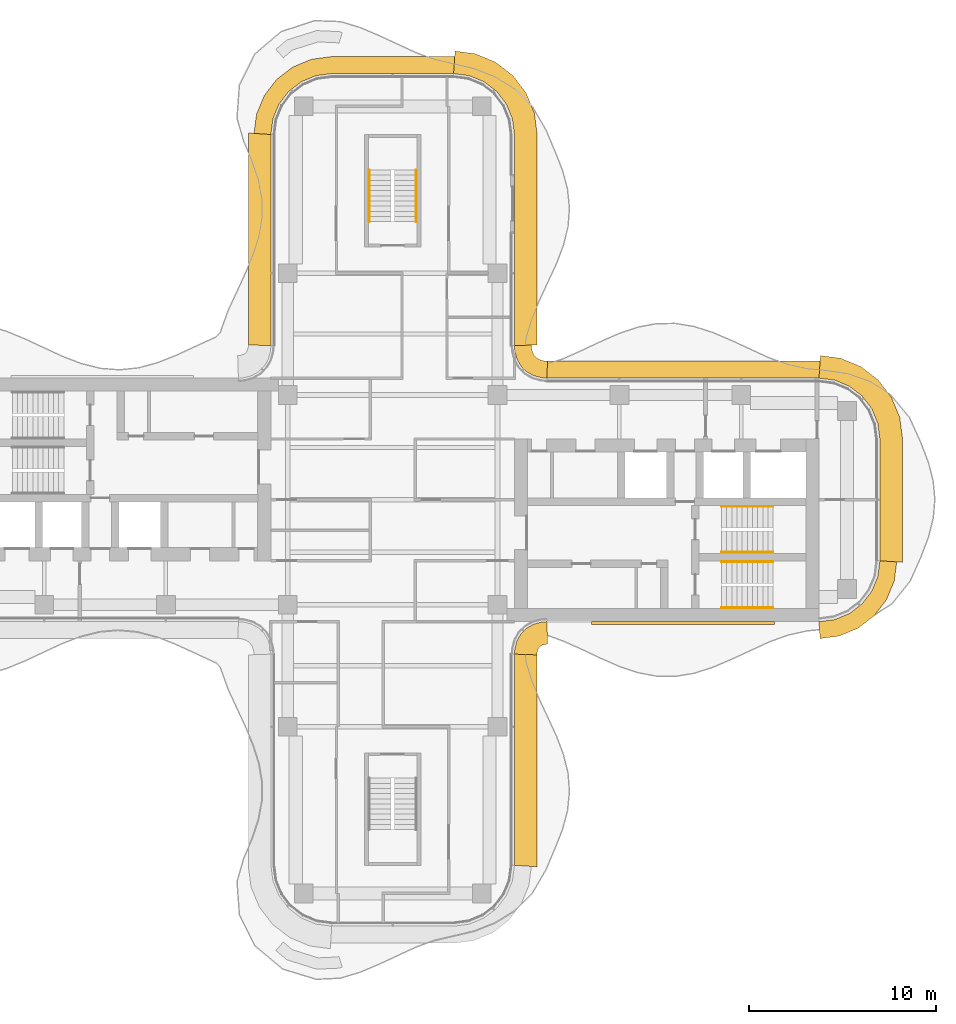
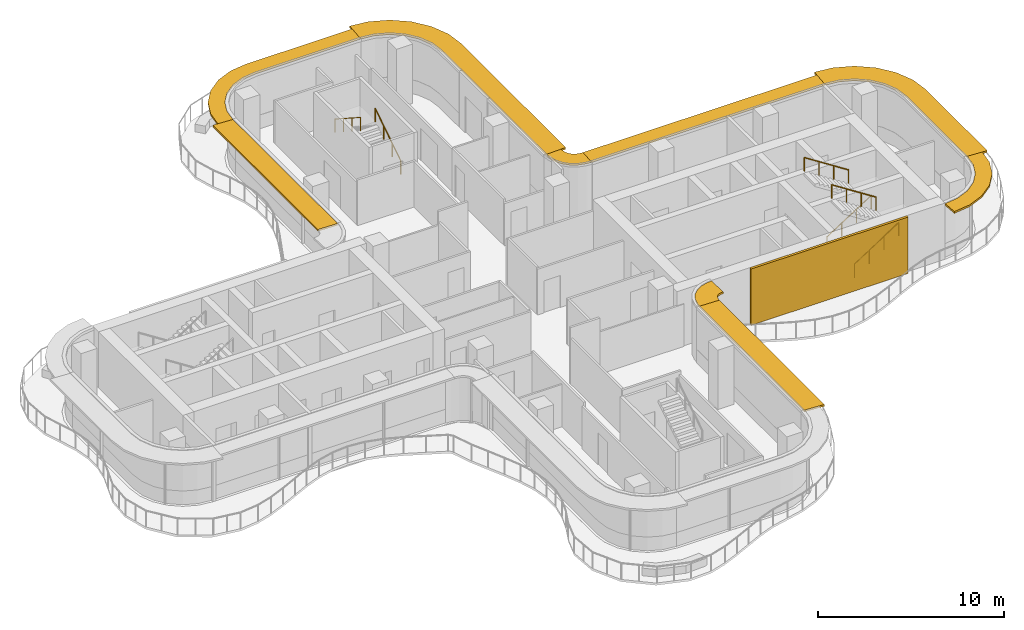
# One storey, part 15 of 15: 9 shading devices, 6 railings, 1 covering.
"""IFC4 building model written with IfcOpenShell, lengths in metres."""

from ifc_helpers import new_model, si_unit, direction, frame, origin, origin_2d, place, context, subcontext, project, spatial, polyline, circle, outline, extrude, source, transform, mapped, material, layer, layer_set, type_object, element, save


model = new_model("IFC4")

# Units and contexts
model_context = context("Model", 3, precision=1e-05, world=origin(), true_north=direction((0.0, 1.0)))
body_context = subcontext(model_context, "Body", "Model", "MODEL_VIEW")
ifc_project = project(units=[si_unit("LENGTHUNIT", "METRE"), si_unit("AREAUNIT", "SQUARE_METRE"), si_unit("VOLUMEUNIT", "CUBIC_METRE"), si_unit("PLANEANGLEUNIT", "RADIAN"), si_unit("MASSUNIT", "GRAM", prefix="KILO")], contexts=[model_context])

# Site, building, storey
site_placement = place(None, origin())
site = spatial("IfcSite", under=ifc_project, at=site_placement, CompositionType="ELEMENT")
building_placement = place(site_placement, origin())
building = spatial("IfcBuilding", under=site, at=building_placement, Name="Trellis Farm Tower", CompositionType="ELEMENT")
storey_placement = place(building_placement, frame((0.0, 0.0, 287.199951171875)))
storey = spatial("IfcBuildingStorey", under=building, at=storey_placement, Name="L64", CompositionType="ELEMENT", Elevation=287.199951171875)

# Railings
ifc_material_1 = material(Name="Stainless steel", Category="steel")
railing_type = type_object("IfcRailingType", Name="STAIR HANDRAIL 900", PredefinedType="HANDRAIL", material=ifc_material_1)
shared_shape_1 = source(origin(), body_context, "Body", "SweptSolid", [
    extrude(circle(Radius=0.02392578125, at=origin_2d()), frame((0.0, 0.0, 0.8759765625), z_axis=(0.0, 0.840503830235, 0.541805602924), x_axis=(-1.0, 0.0, 0.0)), (0.0, 0.0, 1.0), 3.271728515625),
    extrude(circle(Radius=0.02099609375, at=origin_2d()), origin(), (0.0, 0.0, 1.0), 0.851806640625),
    extrude(circle(Radius=0.02099609375, at=origin_2d()), frame((0.0, 0.916748046875, 0.5908203125)), (0.0, 0.0, 1.0), 0.851806640625),
    extrude(circle(Radius=0.02099609375, at=origin_2d()), frame((0.0, 1.833251953125, 1.181884765625)), (0.0, 0.0, 1.0), 0.851806640625),
    extrude(circle(Radius=0.02099609375, at=origin_2d()), frame((0.0, 2.75, 1.772705078125)), (0.0, 0.0, 1.0), 0.851806640625),
])
railing_1_placement = place(storey_placement, frame((1.25, 14.85009765625, 0.17724609375)))
element("IfcRailing", 1, at=railing_1_placement, inside=storey, type_object=railing_type, Name="Stair handrail", PredefinedType="HANDRAIL", context=body_context, shape_type="MappedRepresentation", body=[
    mapped(shared_shape_1, transform((0.0, 0.0, 0.0))),
])
shared_shape_2 = source(origin(), body_context, "Body", "SweptSolid", [
    extrude(circle(Radius=0.02392578125, at=origin_2d()), frame((0.0, 0.0, 0.8759765625), z_axis=(0.0, -0.840503830235, 0.541805602924), x_axis=(1.0, 0.0, 0.0)), (0.0, 0.0, 1.0), 3.271728515625),
    extrude(circle(Radius=0.02099609375, at=origin_2d()), origin(), (0.0, 0.0, 1.0), 0.851806640625),
    extrude(circle(Radius=0.02099609375, at=origin_2d()), frame((0.0, -0.916748046875, 0.5908203125)), (0.0, 0.0, 1.0), 0.851806640625),
    extrude(circle(Radius=0.02099609375, at=origin_2d()), frame((0.0, -1.833251953125, 1.181884765625)), (0.0, 0.0, 1.0), 0.851806640625),
    extrude(circle(Radius=0.02099609375, at=origin_2d()), frame((0.0, -2.75, 1.772705078125)), (0.0, 0.0, 1.0), 0.851806640625),
])
railing_2_placement = place(storey_placement, frame((-1.25, 17.60009765625, 2.12744140625)))
element("IfcRailing", 2, at=railing_2_placement, inside=storey, type_object=railing_type, Name="Stair handrail", PredefinedType="HANDRAIL", context=body_context, shape_type="MappedRepresentation", body=[
    mapped(shared_shape_2, transform((0.0, 0.0, 0.0))),
])
shared_shape_3 = source(origin(), body_context, "Body", "SweptSolid", [
    extrude(circle(Radius=0.02392578125, at=origin_2d()), frame((0.0, 0.0, 0.8759765625), z_axis=(0.840503830235, 0.0, 0.541805602924), x_axis=(0.0, 1.0, 0.0)), (0.0, 0.0, 1.0), 3.271728515625),
    extrude(circle(Radius=0.02099609375, at=origin_2d()), origin(), (0.0, 0.0, 1.0), 0.851806640625),
    extrude(circle(Radius=0.02099609375, at=origin_2d()), frame((0.916748046875, 0.0, 0.5908203125)), (0.0, 0.0, 1.0), 0.851806640625),
    extrude(circle(Radius=0.02099609375, at=origin_2d()), frame((1.833251953125, 0.0, 1.181884765625)), (0.0, 0.0, 1.0), 0.851806640625),
    extrude(circle(Radius=0.02099609375, at=origin_2d()), frame((2.75, 0.0, 1.772705078125)), (0.0, 0.0, 1.0), 0.851806640625),
])
for number, where, name in (
    (3, (17.550048828125, -5.75, 0.17724609375), "Stair handrail"),
    (4, (17.550048828125, -2.800048828125, 0.17724609375), "Stair handrail"),
):
    element("IfcRailing", number, at=place(storey_placement, frame(where)), inside=storey, type_object=railing_type, Name=name, PredefinedType="HANDRAIL", context=body_context, shape_type="MappedRepresentation", body=[
        mapped(shared_shape_3, transform((0.0, 0.0, 0.0))),
    ])
shared_shape_4 = source(origin(), body_context, "Body", "SweptSolid", [
    extrude(circle(Radius=0.02392578125, at=origin_2d()), frame((0.0, 0.0, 0.8759765625), z_axis=(-0.840503830235, 0.0, 0.541805602924), x_axis=(0.0, -1.0, 0.0)), (0.0, 0.0, 1.0), 3.271728515625),
    extrude(circle(Radius=0.02099609375, at=origin_2d()), origin(), (0.0, 0.0, 1.0), 0.851806640625),
    extrude(circle(Radius=0.02099609375, at=origin_2d()), frame((-0.916748046875, 0.0, 0.5908203125)), (0.0, 0.0, 1.0), 0.851806640625),
    extrude(circle(Radius=0.02099609375, at=origin_2d()), frame((-1.833251953125, 0.0, 1.181884765625)), (0.0, 0.0, 1.0), 0.851806640625),
    extrude(circle(Radius=0.02099609375, at=origin_2d()), frame((-2.75, 0.0, 1.772705078125)), (0.0, 0.0, 1.0), 0.851806640625),
])
for number, where, name in (
    (5, (20.300048828125, -3.300048828125, 2.12744140625), "Stair handrail"),
    (6, (20.300048828125, -0.35009765625, 2.12744140625), "Stair handrail"),
):
    element("IfcRailing", number, at=place(storey_placement, frame(where)), inside=storey, type_object=railing_type, Name=name, PredefinedType="HANDRAIL", context=body_context, shape_type="MappedRepresentation", body=[
        mapped(shared_shape_4, transform((0.0, 0.0, 0.0))),
    ])

# Shading devices
ifc_material_2 = material(Name="Aluminium extrusion 6063-T6", Category="aluminium")
ifc_layer_1 = layer(ifc_material_2, 0.1201171875)
ifc_layer_set_1 = layer_set([ifc_layer_1], Name="SUNSHADE BLADE 1200")
shading_device_type_1 = type_object("IfcShadingDeviceType", Name="SUNSHADE BLADE 1200", PredefinedType="USERDEFINED", material=ifc_layer_set_1)
shared_shape_5 = source(origin(), body_context, "Body", "SweptSolid", [
    extrude(outline(polyline([(7.699951171875, -8.270751953125), (7.708740234375, -8.13720703125), (7.70703125, -8.150146484375), (7.7548828125, -7.9716796875), (7.80712890625, -7.881103515625), (7.881103515625, -7.80712890625), (7.9716796875, -7.7548828125), (8.150146484375, -7.70703125), (8.13720703125, -7.708740234375), (8.270751953125, -7.699951171875), (8.2314453125, -6.5), (8.01953125, -6.513916015625), (7.91552734375, -6.527587890625), (7.508544921875, -6.63671875), (7.144287109375, -6.846923828125), (6.846923828125, -7.144287109375), (6.63671875, -7.508544921875), (6.527587890625, -7.91552734375), (6.513916015625, -8.01953125), (6.5, -8.2314453125), (7.699951171875, -8.270751953125)])), origin(), (0.0, 0.0, 1.0), 0.1201171875),
])
placement = place(storey_placement, frame((0.0, 0.0, 3.5400390625)))
element("IfcShadingDevice", 7, at=placement, inside=storey, type_object=shading_device_type_1, Name="SD2 006", ObjectType="SUNSHADE", PredefinedType="USERDEFINED", context=body_context, shape_type="MappedRepresentation", body=[
    mapped(shared_shape_5, transform((0.0, 0.0, 0.0))),
])
ifc_layer_2 = layer(ifc_material_2, 0.1201171875)
ifc_layer_set_2 = layer_set([ifc_layer_2], Name="SUNSHADE BLADE 900")
shading_device_type_2 = type_object("IfcShadingDeviceType", Name="SUNSHADE BLADE 900", PredefinedType="USERDEFINED", material=ifc_layer_set_2)
shared_shape_6 = source(origin(), body_context, "Body", "SweptSolid", [
    extrude(outline(polyline([(8.2607421875, 7.39990234375), (8.107666015625, 7.409912109375), (8.091552734375, 7.412109375), (7.85595703125, 7.475341796875), (7.697021484375, 7.567138671875), (7.567138671875, 7.697021484375), (7.475341796875, 7.85595703125), (7.412109375, 8.091552734375), (7.409912109375, 8.107666015625), (7.39990234375, 8.2607421875), (6.5, 8.2314453125), (6.513916015625, 8.01953125), (6.527587890625, 7.91552734375), (6.63671875, 7.508544921875), (6.846923828125, 7.144287109375), (7.144287109375, 6.846923828125), (7.508544921875, 6.63671875), (7.91552734375, 6.527587890625), (8.01953125, 6.513916015625), (8.2314453125, 6.5), (8.2607421875, 7.39990234375)])), origin(), (0.0, 0.0, 1.0), 0.1201171875),
])
element("IfcShadingDevice", 8, at=placement, inside=storey, type_object=shading_device_type_2, Name="SD1 010", ObjectType="SUNSHADE", PredefinedType="USERDEFINED", context=body_context, shape_type="MappedRepresentation", body=[
    mapped(shared_shape_6, transform((0.0, 0.0, 0.0))),
])
shared_shape_7 = source(origin(), body_context, "Body", "SweptSolid", [
    extrude(outline(polyline([(7.699951171875, 8.270751953125), (7.699951171875, 19.57861328125), (7.558349609375, 20.654541015625), (7.11279296875, 21.730224609375), (6.404052734375, 22.654052734375), (5.480224609375, 23.36279296875), (4.404541015625, 23.808349609375), (3.32861328125, 23.949951171875), (3.25, 22.75), (4.091064453125, 22.63916015625), (4.875, 22.314697265625), (5.548095703125, 21.798095703125), (6.064697265625, 21.125), (6.38916015625, 20.341064453125), (6.5, 19.5), (6.5, 8.2314453125), (7.699951171875, 8.270751953125)])), origin(), (0.0, 0.0, 1.0), 0.1201171875),
])
element("IfcShadingDevice", 9, at=placement, inside=storey, type_object=shading_device_type_1, Name="SD2 011", ObjectType="SUNSHADE", PredefinedType="USERDEFINED", context=body_context, shape_type="MappedRepresentation", body=[
    mapped(shared_shape_7, transform((0.0, 0.0, 0.0))),
])
shared_shape_8 = source(origin(), body_context, "Body", "SweptSolid", [
    extrude(outline(polyline([(3.30908203125, 23.64990234375), (-3.30908203125, 23.64990234375), (-4.326171875, 23.51611328125), (-5.328857421875, 23.100830078125), (-6.18994140625, 22.43994140625), (-6.850830078125, 21.578857421875), (-7.26611328125, 20.576171875), (-7.39990234375, 19.55908203125), (-6.5, 19.5), (-6.38916015625, 20.341064453125), (-6.064697265625, 21.125), (-5.548095703125, 21.798095703125), (-4.875, 22.314697265625), (-4.091064453125, 22.63916015625), (-3.25, 22.75), (3.25, 22.75), (3.30908203125, 23.64990234375)])), origin(), (0.0, 0.0, 1.0), 0.1201171875),
])
element("IfcShadingDevice", 10, at=placement, inside=storey, type_object=shading_device_type_2, Name="SD1 012", ObjectType="SUNSHADE", PredefinedType="USERDEFINED", context=body_context, shape_type="MappedRepresentation", body=[
    mapped(shared_shape_8, transform((0.0, 0.0, 0.0))),
])
shared_shape_9 = source(origin(), body_context, "Body", "SweptSolid", [
    extrude(outline(polyline([(-7.699951171875, 19.57861328125), (-7.699951171875, 8.270751953125), (-6.5, 8.2314453125), (-6.5, 19.5), (-7.699951171875, 19.57861328125)])), origin(), (0.0, 0.0, 1.0), 0.1201171875),
])
element("IfcShadingDevice", 11, at=placement, inside=storey, type_object=shading_device_type_1, Name="SD2 013", ObjectType="SUNSHADE", PredefinedType="USERDEFINED", context=body_context, shape_type="MappedRepresentation", body=[
    mapped(shared_shape_9, transform((0.0, 0.0, 0.0))),
])
shared_shape_10 = source(origin(), body_context, "Body", "SweptSolid", [
    extrude(outline(polyline([(22.80908203125, -7.39990234375), (23.826171875, -7.26611328125), (24.828857421875, -6.850830078125), (25.68994140625, -6.18994140625), (26.350830078125, -5.328857421875), (26.76611328125, -4.326171875), (26.89990234375, -3.30908203125), (26.0, -3.25), (25.88916015625, -4.091064453125), (25.564697265625, -4.875), (25.048095703125, -5.548095703125), (24.375, -6.064697265625), (23.591064453125, -6.38916015625), (22.75, -6.5), (22.80908203125, -7.39990234375)])), origin(), (0.0, 0.0, 1.0), 0.1201171875),
])
element("IfcShadingDevice", 12, at=placement, inside=storey, type_object=shading_device_type_2, Name="SD1 007", ObjectType="SUNSHADE", PredefinedType="USERDEFINED", context=body_context, shape_type="MappedRepresentation", body=[
    mapped(shared_shape_10, transform((0.0, 0.0, 0.0))),
])
shared_shape_11 = source(origin(), body_context, "Body", "SweptSolid", [
    extrude(outline(polyline([(27.199951171875, -3.32861328125), (27.199951171875, 3.32861328125), (27.058349609375, 4.404541015625), (26.61279296875, 5.480224609375), (25.904052734375, 6.404052734375), (24.980224609375, 7.11279296875), (23.904541015625, 7.558349609375), (22.82861328125, 7.699951171875), (22.75, 6.5), (23.591064453125, 6.38916015625), (24.375, 6.064697265625), (25.048095703125, 5.548095703125), (25.564697265625, 4.875), (25.88916015625, 4.091064453125), (26.0, 3.25), (26.0, -3.25), (27.199951171875, -3.32861328125)])), origin(), (0.0, 0.0, 1.0), 0.1201171875),
])
element("IfcShadingDevice", 13, at=placement, inside=storey, type_object=shading_device_type_1, Name="SD2 008", ObjectType="SUNSHADE", PredefinedType="USERDEFINED", context=body_context, shape_type="MappedRepresentation", body=[
    mapped(shared_shape_11, transform((0.0, 0.0, 0.0))),
])
shared_shape_12 = source(origin(), body_context, "Body", "SweptSolid", [
    extrude(outline(polyline([(22.80908203125, 7.39990234375), (8.2607421875, 7.39990234375), (8.2314453125, 6.5), (22.75, 6.5), (22.80908203125, 7.39990234375)])), origin(), (0.0, 0.0, 1.0), 0.1201171875),
])
element("IfcShadingDevice", 14, at=placement, inside=storey, type_object=shading_device_type_2, Name="SD1 009", ObjectType="SUNSHADE", PredefinedType="USERDEFINED", context=body_context, shape_type="MappedRepresentation", body=[
    mapped(shared_shape_12, transform((0.0, 0.0, 0.0))),
])

# Covering
ifc_material_3 = material(Name="Perforated precast screen (cobogo)", Category="concrete")
ifc_layer_3 = layer(ifc_material_3, 0.14990234375)
ifc_layer_set_3 = layer_set([ifc_layer_3], Name="COBOGO SCREEN PANEL")
covering_type = type_object("IfcCoveringType", Name="COBOGO SCREEN PANEL", PredefinedType="USERDEFINED", material=ifc_layer_set_3)
shared_shape_13 = source(origin(), body_context, "Body", "SweptSolid", [
    extrude(outline(polyline([(10.61572265625, -6.64990234375), (20.36572265625, -6.64990234375), (20.36572265625, -6.5), (10.61572265625, -6.5), (10.61572265625, -6.64990234375)])), origin(), (0.0, 0.0, 1.0), 3.699951171875),
])
covering_placement = place(storey_placement, origin())
element("IfcCovering", 15, at=covering_placement, inside=storey, type_object=covering_type, Name="SC1 01", ObjectType="SCREEN", PredefinedType="USERDEFINED", context=body_context, shape_type="MappedRepresentation", body=[
    mapped(shared_shape_13, transform((0.0, 0.0, 0.0))),
])

# Shading device
shared_shape_14 = source(origin(), body_context, "Body", "SweptSolid", [
    extrude(outline(polyline([(7.699951171875, -19.57861328125), (7.699951171875, -8.270751953125), (6.5, -8.2314453125), (6.5, -19.5), (7.699951171875, -19.57861328125)])), origin(), (0.0, 0.0, 1.0), 0.1201171875),
])
element("IfcShadingDevice", 16, at=placement, inside=storey, type_object=shading_device_type_1, Name="SD2 005", ObjectType="SUNSHADE", PredefinedType="USERDEFINED", context=body_context, shape_type="MappedRepresentation", body=[
    mapped(shared_shape_14, transform((0.0, 0.0, 0.0))),
])

save(model, "model.ifc")
